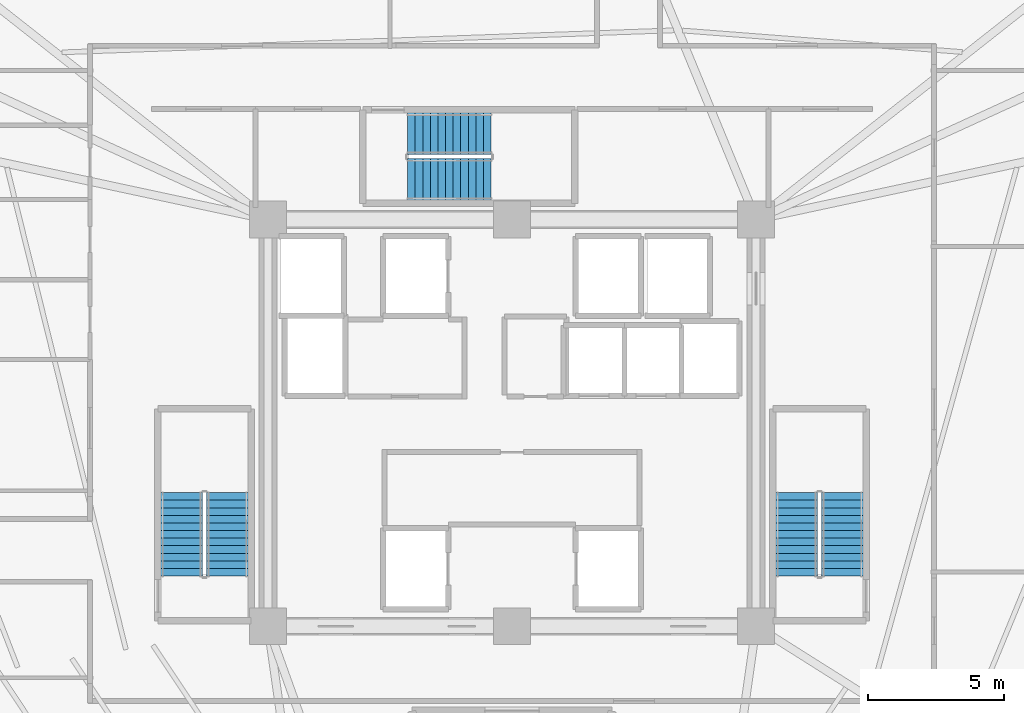
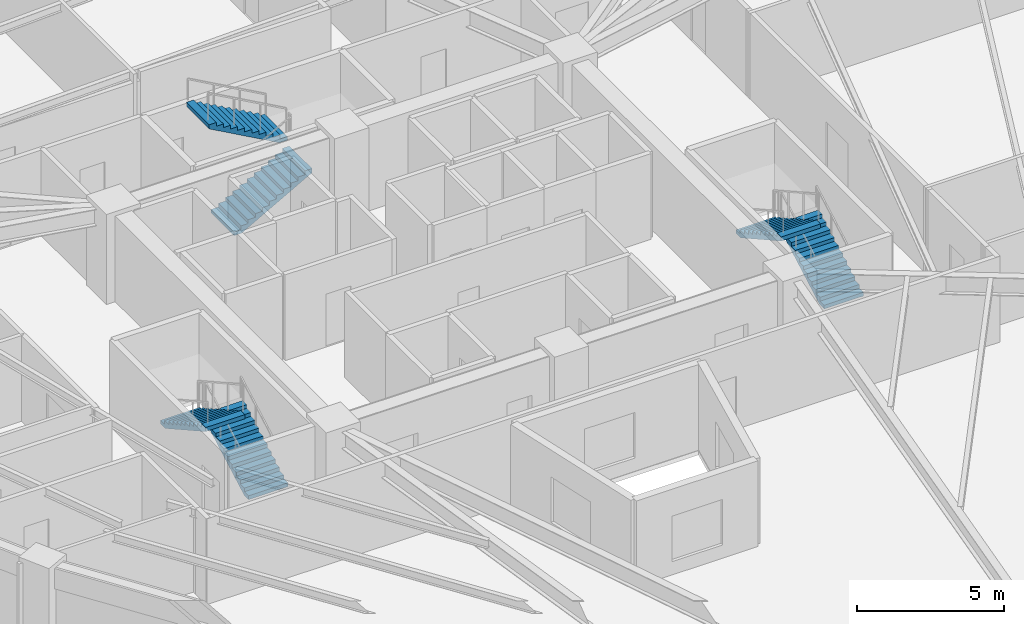
# One storey, part 7 of 8: 6 stair flights, 3 elements without a shape of their own.
"""IFC4 building model written with IfcOpenShell, lengths in metres."""

from ifc_helpers import new_model, si_unit, direction, frame, origin, place, context, subcontext, project, spatial, polyline, outline, extrude, material, type_object, element, aggregate, save


model = new_model("IFC4")

# Units and contexts
model_context = context("Model", 3, precision=1e-05, world=origin(), true_north=direction((0.0, 1.0)))
body_context = subcontext(model_context, "Body", "Model", "MODEL_VIEW")
ifc_project = project(units=[si_unit("LENGTHUNIT", "METRE"), si_unit("AREAUNIT", "SQUARE_METRE"), si_unit("VOLUMEUNIT", "CUBIC_METRE"), si_unit("PLANEANGLEUNIT", "RADIAN"), si_unit("MASSUNIT", "GRAM", prefix="KILO")], contexts=[model_context])

# Site, building, storey
site_placement = place(None, origin())
site = spatial("IfcSite", under=ifc_project, at=site_placement, CompositionType="ELEMENT")
building_placement = place(site_placement, origin())
building = spatial("IfcBuilding", under=site, at=building_placement, Name="Liaohun Quay Tower", CompositionType="ELEMENT")
storey_placement = place(building_placement, frame((0.0, 0.0, 243.75)))
storey = spatial("IfcBuildingStorey", under=building, at=storey_placement, Name="L63", CompositionType="ELEMENT", Elevation=243.75)

# Stair, stair flights
ifc_material = material(Name="Concrete C45", Category="concrete")
stair_type = type_object("IfcStairType", Name="STR-CORE-OFF", PredefinedType="HALF_TURN_STAIR", material=ifc_material)
stair_1_placement = place(storey_placement, origin())
stair_1 = element("IfcStair", 1, at=stair_1_placement, inside=storey, type_object=stair_type, Name="L63 Smokeproof Core Exit Stair ST-1", PredefinedType="HALF_TURN_STAIR")
stair_flight_type = type_object("IfcStairFlightType", Name="FLT-CORE-155", PredefinedType="STRAIGHT", material=ifc_material)
stair_flight_1_placement = place(storey_placement, frame((49.5048828125, 48.35009765625, 0.0), z_axis=(0.0, 0.0, 1.0), x_axis=(0.0, 1.0, 0.0)))
stair_flight_1 = element("IfcStairFlight", 2, at=stair_flight_1_placement, type_object=stair_flight_type, Name="ST-1 flight 1", NumberOfRisers=12, NumberOfTreads=11, PredefinedType="STRAIGHT", RiserHeight=0.15625, TreadLength=0.28, context=body_context, shape_type="SweptSolid", body=[
    extrude(outline(polyline([(0.0, 0.0), (0.0, 0.15625), (0.280029296875, 0.15625), (0.280029296875, 0.3125), (0.56005859375, 0.3125), (0.56005859375, 0.46875), (0.840087890625, 0.46875), (0.840087890625, 0.625), (1.1201171875, 0.625), (1.1201171875, 0.78125), (1.39990234375, 0.78125), (1.39990234375, 0.9375), (1.679931640625, 0.9375), (1.679931640625, 1.09375), (1.9599609375, 1.09375), (1.9599609375, 1.25), (2.239990234375, 1.25), (2.239990234375, 1.40625), (2.52001953125, 1.40625), (2.52001953125, 1.5625), (2.800048828125, 1.5625), (2.800048828125, 1.71875), (3.080078125, 1.71875), (3.080078125, 1.875), (3.080078125, 1.547119140625), (0.3076171875, 0.0), (0.0, 0.0)])), frame((0.0, 0.77490234375, 0.0), z_axis=(0.0, -1.0, 0.0), x_axis=(1.0, 0.0, 0.0)), (0.0, 0.0, 1.0), 1.550048828125),
])
stair_flight_2_placement = place(storey_placement, frame((47.81494140625, 51.429931640625, 1.875), z_axis=(0.0, 0.0, 1.0), x_axis=(0.0, -1.0, 0.0)))
stair_flight_2 = element("IfcStairFlight", 3, at=stair_flight_2_placement, type_object=stair_flight_type, Name="ST-1 flight 2", NumberOfRisers=12, NumberOfTreads=11, PredefinedType="STRAIGHT", RiserHeight=0.15625, TreadLength=0.28, context=body_context, shape_type="SweptSolid", body=[
    extrude(outline(polyline([(0.0, 0.0), (0.0, 0.15625), (0.280029296875, 0.15625), (0.280029296875, 0.3125), (0.56005859375, 0.3125), (0.56005859375, 0.46875), (0.840087890625, 0.46875), (0.840087890625, 0.625), (1.1201171875, 0.625), (1.1201171875, 0.78125), (1.39990234375, 0.78125), (1.39990234375, 0.9375), (1.679931640625, 0.9375), (1.679931640625, 1.09375), (1.9599609375, 1.09375), (1.9599609375, 1.25), (2.239990234375, 1.25), (2.239990234375, 1.40625), (2.52001953125, 1.40625), (2.52001953125, 1.5625), (2.800048828125, 1.5625), (2.800048828125, 1.71875), (3.080078125, 1.71875), (3.080078125, 1.875), (3.080078125, 1.547119140625), (0.3076171875, 0.0), (0.0, 0.0)])), frame((0.0, 0.77490234375, 0.0), z_axis=(0.0, -1.0, 0.0), x_axis=(1.0, 0.0, 0.0)), (0.0, 0.0, 1.0), 1.550048828125),
])
aggregate(stair_1, [stair_flight_1, stair_flight_2])

stair_2_placement = place(storey_placement, origin())
stair_2 = element("IfcStair", 4, at=stair_2_placement, inside=storey, type_object=stair_type, Name="L63 Smokeproof Core Exit Stair ST-2", PredefinedType="HALF_TURN_STAIR")
stair_flight_3_placement = place(storey_placement, frame((72.18505859375, 48.35009765625, 0.0), z_axis=(0.0, 0.0, 1.0), x_axis=(0.0, 1.0, 0.0)))
stair_flight_3 = element("IfcStairFlight", 5, at=stair_flight_3_placement, type_object=stair_flight_type, Name="ST-2 flight 1", NumberOfRisers=12, NumberOfTreads=11, PredefinedType="STRAIGHT", RiserHeight=0.15625, TreadLength=0.28, context=body_context, shape_type="SweptSolid", body=[
    extrude(outline(polyline([(0.0, 0.0), (0.0, 0.15625), (0.280029296875, 0.15625), (0.280029296875, 0.3125), (0.56005859375, 0.3125), (0.56005859375, 0.46875), (0.840087890625, 0.46875), (0.840087890625, 0.625), (1.1201171875, 0.625), (1.1201171875, 0.78125), (1.39990234375, 0.78125), (1.39990234375, 0.9375), (1.679931640625, 0.9375), (1.679931640625, 1.09375), (1.9599609375, 1.09375), (1.9599609375, 1.25), (2.239990234375, 1.25), (2.239990234375, 1.40625), (2.52001953125, 1.40625), (2.52001953125, 1.5625), (2.800048828125, 1.5625), (2.800048828125, 1.71875), (3.080078125, 1.71875), (3.080078125, 1.875), (3.080078125, 1.547119140625), (0.3076171875, 0.0), (0.0, 0.0)])), frame((0.0, 0.77490234375, 0.0), z_axis=(0.0, -1.0, 0.0), x_axis=(1.0, 0.0, 0.0)), (0.0, 0.0, 1.0), 1.550048828125),
])
stair_flight_4_placement = place(storey_placement, frame((70.4951171875, 51.429931640625, 1.875), z_axis=(0.0, 0.0, 1.0), x_axis=(0.0, -1.0, 0.0)))
stair_flight_4 = element("IfcStairFlight", 6, at=stair_flight_4_placement, type_object=stair_flight_type, Name="ST-2 flight 2", NumberOfRisers=12, NumberOfTreads=11, PredefinedType="STRAIGHT", RiserHeight=0.15625, TreadLength=0.28, context=body_context, shape_type="SweptSolid", body=[
    extrude(outline(polyline([(0.0, 0.0), (0.0, 0.15625), (0.280029296875, 0.15625), (0.280029296875, 0.3125), (0.56005859375, 0.3125), (0.56005859375, 0.46875), (0.840087890625, 0.46875), (0.840087890625, 0.625), (1.1201171875, 0.625), (1.1201171875, 0.78125), (1.39990234375, 0.78125), (1.39990234375, 0.9375), (1.679931640625, 0.9375), (1.679931640625, 1.09375), (1.9599609375, 1.09375), (1.9599609375, 1.25), (2.239990234375, 1.25), (2.239990234375, 1.40625), (2.52001953125, 1.40625), (2.52001953125, 1.5625), (2.800048828125, 1.5625), (2.800048828125, 1.71875), (3.080078125, 1.71875), (3.080078125, 1.875), (3.080078125, 1.547119140625), (0.3076171875, 0.0), (0.0, 0.0)])), frame((0.0, 0.77490234375, 0.0), z_axis=(0.0, -1.0, 0.0), x_axis=(1.0, 0.0, 0.0)), (0.0, 0.0, 1.0), 1.550048828125),
])
aggregate(stair_2, [stair_flight_3, stair_flight_4])

stair_3_placement = place(storey_placement, origin())
stair_3 = element("IfcStair", 7, at=stair_3_placement, inside=storey, type_object=stair_type, Name="L63 Smokeproof Core Exit Stair ST-3", PredefinedType="HALF_TURN_STAIR")
stair_flight_5_placement = place(storey_placement, frame((56.14990234375, 62.97509765625, 0.0), z_axis=(0.0, 0.0, 1.0), x_axis=(1.0, 0.0, 0.0)))
stair_flight_5 = element("IfcStairFlight", 8, at=stair_flight_5_placement, type_object=stair_flight_type, Name="ST-3 flight 1", NumberOfRisers=12, NumberOfTreads=11, PredefinedType="STRAIGHT", RiserHeight=0.15625, TreadLength=0.28, context=body_context, shape_type="SweptSolid", body=[
    extrude(outline(polyline([(0.0, 0.0), (0.0, 0.15625), (0.280029296875, 0.15625), (0.280029296875, 0.3125), (0.56005859375, 0.3125), (0.56005859375, 0.46875), (0.840087890625, 0.46875), (0.840087890625, 0.625), (1.1201171875, 0.625), (1.1201171875, 0.78125), (1.39990234375, 0.78125), (1.39990234375, 0.9375), (1.679931640625, 0.9375), (1.679931640625, 1.09375), (1.9599609375, 1.09375), (1.9599609375, 1.25), (2.239990234375, 1.25), (2.239990234375, 1.40625), (2.52001953125, 1.40625), (2.52001953125, 1.5625), (2.800048828125, 1.5625), (2.800048828125, 1.71875), (3.080078125, 1.71875), (3.080078125, 1.875), (3.080078125, 1.547119140625), (0.3076171875, 0.0), (0.0, 0.0)])), frame((0.0, 0.77490234375, 0.0), z_axis=(0.0, -1.0, 0.0), x_axis=(1.0, 0.0, 0.0)), (0.0, 0.0, 1.0), 1.550048828125),
])
stair_flight_6_placement = place(storey_placement, frame((59.22998046875, 64.6650390625, 1.875), z_axis=(0.0, 0.0, 1.0), x_axis=(-1.0, 0.0, 0.0)))
stair_flight_6 = element("IfcStairFlight", 9, at=stair_flight_6_placement, type_object=stair_flight_type, Name="ST-3 flight 2", NumberOfRisers=12, NumberOfTreads=11, PredefinedType="STRAIGHT", RiserHeight=0.15625, TreadLength=0.28, context=body_context, shape_type="SweptSolid", body=[
    extrude(outline(polyline([(0.0, 0.0), (0.0, 0.15625), (0.280029296875, 0.15625), (0.280029296875, 0.3125), (0.56005859375, 0.3125), (0.56005859375, 0.46875), (0.840087890625, 0.46875), (0.840087890625, 0.625), (1.1201171875, 0.625), (1.1201171875, 0.78125), (1.39990234375, 0.78125), (1.39990234375, 0.9375), (1.679931640625, 0.9375), (1.679931640625, 1.09375), (1.9599609375, 1.09375), (1.9599609375, 1.25), (2.239990234375, 1.25), (2.239990234375, 1.40625), (2.52001953125, 1.40625), (2.52001953125, 1.5625), (2.800048828125, 1.5625), (2.800048828125, 1.71875), (3.080078125, 1.71875), (3.080078125, 1.875), (3.080078125, 1.547119140625), (0.3076171875, 0.0), (0.0, 0.0)])), frame((0.0, 0.77490234375, 0.0), z_axis=(0.0, -1.0, 0.0), x_axis=(1.0, 0.0, 0.0)), (0.0, 0.0, 1.0), 1.550048828125),
])
aggregate(stair_3, [stair_flight_5, stair_flight_6])

save(model, "model.ifc")
